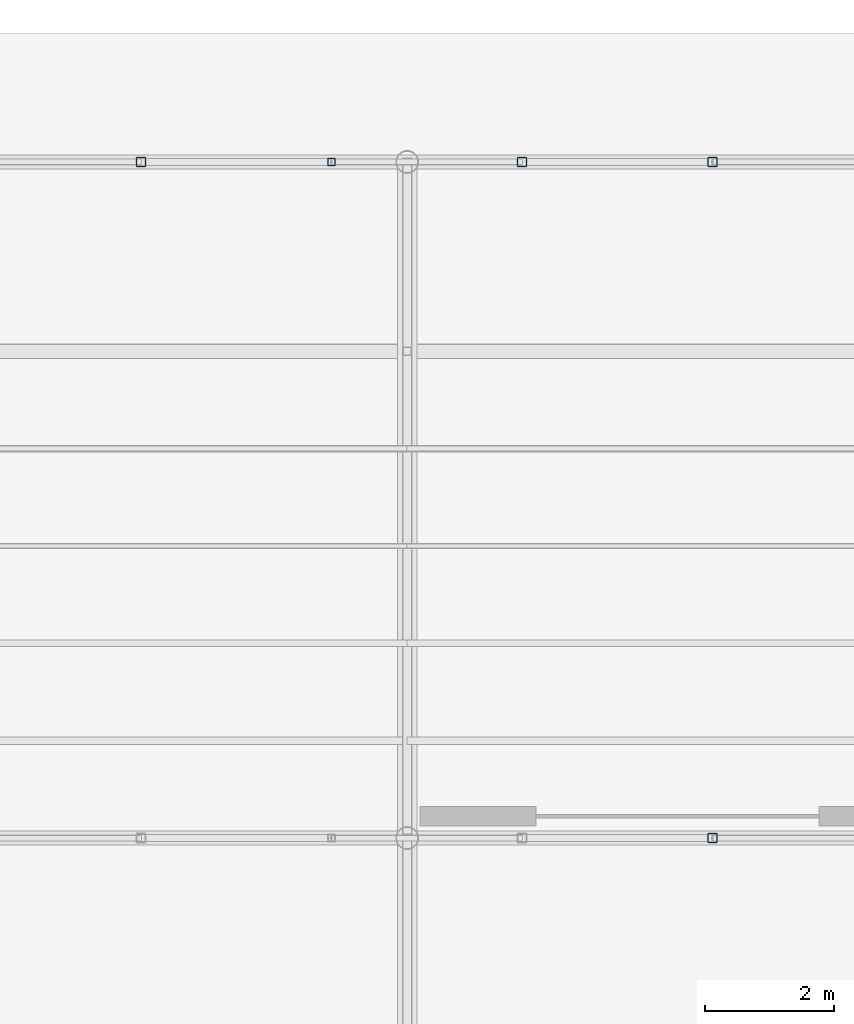
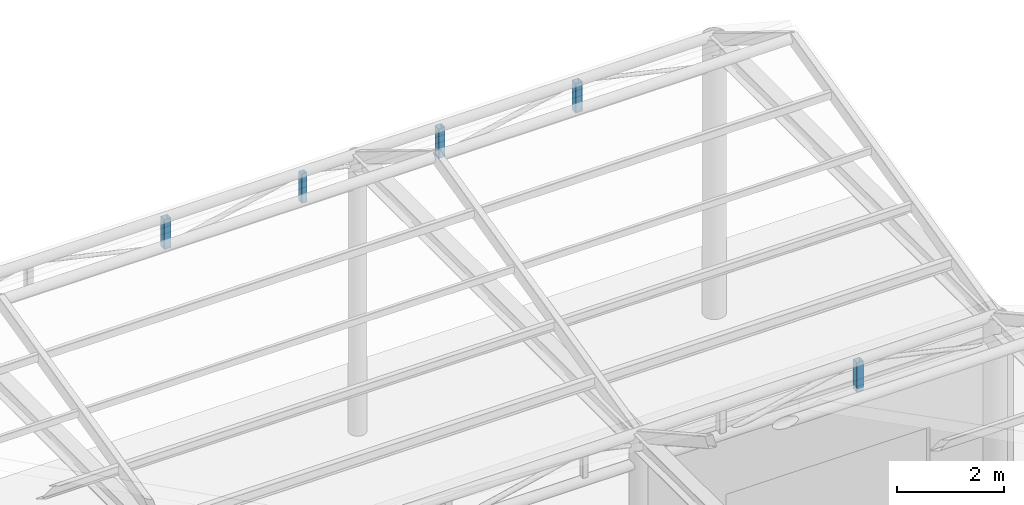
# One storey, part 68 of 118: 5 members.
"""IFC4 building model written with IfcOpenShell, lengths in metres."""

from ifc_helpers import new_model, si_unit, direction, frame, origin, origin_2d, place, context, subcontext, project, spatial, hollow_rectangle, extrude, material, material_profile, profile_set, type_object, element, save


model = new_model("IFC4")

# Units and contexts
model_context = context("Model", 3, precision=1e-05, world=origin(), true_north=direction((0.0, 1.0)))
body_context = subcontext(model_context, "Body", "Model", "MODEL_VIEW")
ifc_project = project(units=[si_unit("LENGTHUNIT", "METRE"), si_unit("AREAUNIT", "SQUARE_METRE"), si_unit("VOLUMEUNIT", "CUBIC_METRE"), si_unit("PLANEANGLEUNIT", "RADIAN"), si_unit("MASSUNIT", "GRAM", prefix="KILO")], contexts=[model_context])

# Site, building, storey
site_placement = place(None, origin())
site = spatial("IfcSite", under=ifc_project, at=site_placement, CompositionType="ELEMENT")
building_placement = place(site_placement, origin())
building = spatial("IfcBuilding", under=site, at=building_placement, Name="Kolvaren Corner Interchange", CompositionType="ELEMENT")
storey_placement = place(building_placement, origin())
storey = spatial("IfcBuildingStorey", under=building, at=storey_placement, Name="L01", CompositionType="ELEMENT", Elevation=0.0)

# Members
ifc_material_1 = material(Name="Steel S355", Category="steel")
ifc_material_profile_1 = material_profile(ifc_material_1, hollow_rectangle(XDim=0.1201171875, YDim=0.1201171875, WallThickness=0.00634765625, InnerFilletRadius=0.00634765625, OuterFilletRadius=0.0126953125, at=origin_2d()), Name="SHS 120x120x6.3")
ifc_profile_set_1 = profile_set([ifc_material_profile_1], Name="Steel S355")
member_type_1 = type_object("IfcMemberType", Name="MEM-PT-SHS120", PredefinedType="POST", material=ifc_profile_set_1)
member_placement = place(storey_placement, frame((154.625, 112.0, 5.64990234375), z_axis=(0.0, 0.0, 1.0), x_axis=(1.0, 0.0, 0.0)))
element("IfcMember", 1, at=member_placement, inside=storey, type_object=member_type_1, Name="Bus Canopy Sawtooth Roof Truss 07 Web Post 10", PredefinedType="POST", context=body_context, shape_type="SweptSolid", body=[
    extrude(hollow_rectangle(XDim=0.1201171875, YDim=0.1201171875, WallThickness=0.00634765625, InnerFilletRadius=0.00634765625, OuterFilletRadius=0.0126953125, at=origin_2d()), origin(), (0.0, 0.0, 1.0), 0.670166015625),
])
ifc_material_2 = material(Name="Steel S355", Category="steel")
ifc_material_profile_2 = material_profile(ifc_material_2, hollow_rectangle(XDim=0.14990234375, YDim=0.14990234375, WallThickness=0.008056640625, InnerFilletRadius=0.008056640625, OuterFilletRadius=0.01611328125, at=origin_2d()), Name="SHS 150x150x8.0")
ifc_profile_set_2 = profile_set([ifc_material_profile_2], Name="Steel S355")
member_type_2 = type_object("IfcMemberType", Name="MEM-PT-SHS150", PredefinedType="POST", material=ifc_profile_set_2)
for number, where, z_axis, x_axis, name in (
    (2, (160.541748046875, 101.5, 5.64990234375), (0.0, 0.0, 1.0), (1.0, 0.0, 0.0), "Bus Canopy Sawtooth Roof Truss 06 Web Post 12"),
    (3, (151.666748046875, 112.0, 5.64990234375), (0.0, 0.0, 1.0), (1.0, 0.0, 0.0), "Bus Canopy Sawtooth Roof Truss 07 Web Post 09"),
    (4, (157.583251953125, 112.0, 5.64990234375), (0.0, 0.0, 1.0), (1.0, 0.0, 0.0), "Bus Canopy Sawtooth Roof Truss 07 Web Post 11"),
    (5, (160.541748046875, 112.0, 5.64990234375), (0.0, 0.0, 1.0), (1.0, 0.0, 0.0), "Bus Canopy Sawtooth Roof Truss 07 Web Post 12"),
):
    element("IfcMember", number, at=place(storey_placement, frame(where, z_axis=z_axis, x_axis=x_axis)), inside=storey, type_object=member_type_2, Name=name, PredefinedType="POST", context=body_context, shape_type="SweptSolid", body=[
        extrude(hollow_rectangle(XDim=0.14990234375, YDim=0.14990234375, WallThickness=0.008056640625, InnerFilletRadius=0.008056640625, OuterFilletRadius=0.01611328125, at=origin_2d()), origin(), (0.0, 0.0, 1.0), 0.670166015625),
    ])

save(model, "model.ifc")
